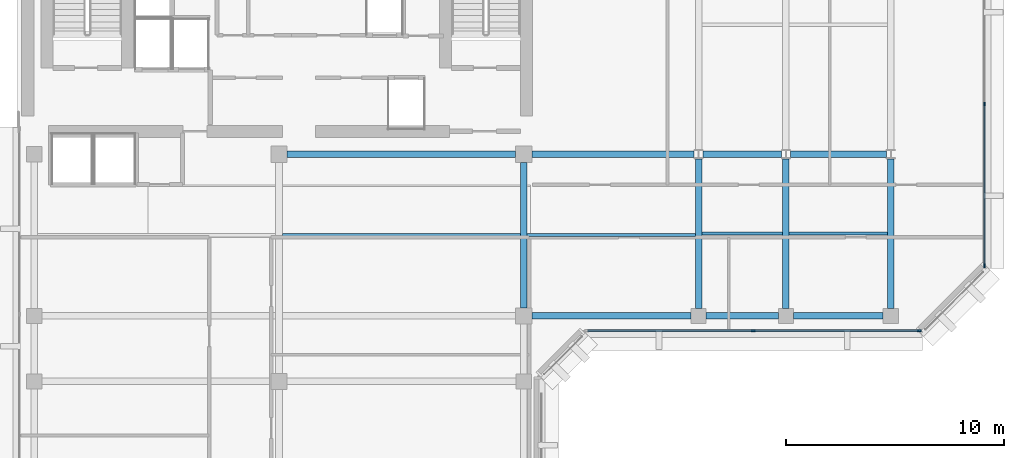
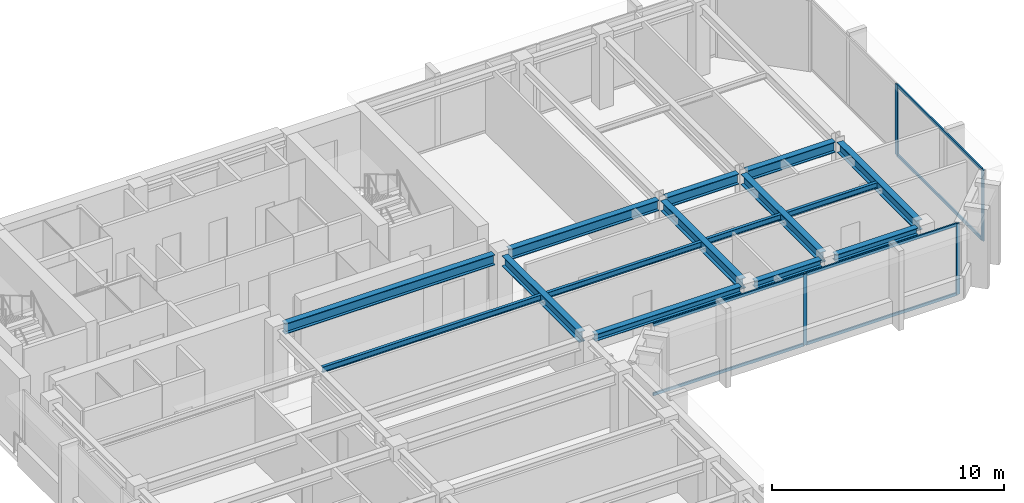
# One storey, part 3 of 11: 15 beams, 10 members, 2 elements without a shape of their own.
"""IFC4 building model written with IfcOpenShell, lengths in metres."""

from ifc_helpers import new_model, si_unit, direction, frame, origin, origin_2d, place, context, subcontext, project, spatial, rectangle, i_section, extrude, material, layer, layer_set, material_profile, profile_set, type_object, element, aggregate, save


model = new_model("IFC4")

# Units and contexts
model_context = context("Model", 3, precision=1e-05, world=origin(), true_north=direction((0.0, 1.0)))
body_context = subcontext(model_context, "Body", "Model", "MODEL_VIEW")
ifc_project = project(units=[si_unit("LENGTHUNIT", "METRE"), si_unit("AREAUNIT", "SQUARE_METRE"), si_unit("VOLUMEUNIT", "CUBIC_METRE"), si_unit("PLANEANGLEUNIT", "RADIAN"), si_unit("MASSUNIT", "GRAM", prefix="KILO")], contexts=[model_context])

# Site, building, storey
site_placement = place(None, origin())
site = spatial("IfcSite", under=ifc_project, at=site_placement, CompositionType="ELEMENT")
building_placement = place(site_placement, origin())
building = spatial("IfcBuilding", under=site, at=building_placement, Name="Kefirva Bronze Tower", CompositionType="ELEMENT")
storey_placement = place(building_placement, frame((0.0, 0.0, 303.929931640625)))
storey = spatial("IfcBuildingStorey", under=building, at=storey_placement, Name="L74", CompositionType="ELEMENT", Elevation=303.929931640625)

# Curtain wall, members
ifc_material_1 = material(Name="Bronze anodised aluminium", Category="aluminium")
ifc_layer = layer(ifc_material_1, 0.179931640625, Name="Bronze anodised aluminium")
ifc_layer_set = layer_set([ifc_layer], Name="Bronze anodised aluminium")
curtain_wall_type = type_object("IfcCurtainWallType", Name="Unitised Bronze Ribbon Curtain Wall Zone 4", PredefinedType="USERDEFINED", material=ifc_layer_set)
curtain_wall_1_placement = place(storey_placement, origin())
curtain_wall_1 = element("IfcCurtainWall", 1, at=curtain_wall_1_placement, inside=storey, type_object=curtain_wall_type, Name="L74 Curtain Wall 2", ObjectType="UNITISED CURTAIN WALL", PredefinedType="USERDEFINED")
ifc_material_profile_1 = material_profile(ifc_material_1, rectangle(XDim=0.074951171875, YDim=0.179931640625, at=origin_2d()), Name="ALU 75x180")
ifc_profile_set_1 = profile_set([ifc_material_profile_1], Name="Bronze anodised aluminium")
member_type_1 = type_object("IfcMemberType", Name="Bronze Mullion 75x180", PredefinedType="MULLION", material=ifc_profile_set_1)
member_1_placement = place(storey_placement, frame((33.699951171875, 25.1201171875, 0.0), z_axis=(0.0, 0.0, 1.0), x_axis=(0.0, 1.0, 0.0)))
member_1 = element("IfcMember", 2, at=member_1_placement, type_object=member_type_1, Name="CW-04 mullion 2", PredefinedType="MULLION", context=body_context, shape_type="SweptSolid", body=[
    extrude(rectangle(XDim=0.074951171875, YDim=0.179931640625, at=origin_2d()), origin(), (0.0, 0.0, 1.0), 3.739990234375),
])
member_2_placement = place(storey_placement, frame((41.3076171875, 25.1201171875, 0.0), z_axis=(0.0, 0.0, 1.0), x_axis=(0.0, 1.0, 0.0)))
member_2 = element("IfcMember", 3, at=member_2_placement, type_object=member_type_1, Name="CW-04 mullion 3", PredefinedType="MULLION", context=body_context, shape_type="SweptSolid", body=[
    extrude(rectangle(XDim=0.074951171875, YDim=0.179931640625, at=origin_2d()), origin(), (0.0, 0.0, 1.0), 3.739990234375),
])

curtain_wall_2_placement = place(storey_placement, origin())
curtain_wall_2 = element("IfcCurtainWall", 4, at=curtain_wall_2_placement, inside=storey, type_object=curtain_wall_type, Name="L74 Curtain Wall 3", ObjectType="UNITISED CURTAIN WALL", PredefinedType="USERDEFINED")
member_3_placement = place(storey_placement, frame((44.280029296875, 28.092529296875, 0.0), z_axis=(0.0, 0.0, 1.0), x_axis=(-1.0, 0.0, 0.0)))
member_3 = element("IfcMember", 5, at=member_3_placement, type_object=member_type_1, Name="CW-04 mullion 1", PredefinedType="MULLION", context=body_context, shape_type="SweptSolid", body=[
    extrude(rectangle(XDim=0.074951171875, YDim=0.179931640625, at=origin_2d()), origin(), (0.0, 0.0, 1.0), 3.739990234375),
])
member_4_placement = place(storey_placement, frame((44.280029296875, 35.5, 0.0), z_axis=(0.0, 0.0, 1.0), x_axis=(-1.0, 0.0, 0.0)))
member_4 = element("IfcMember", 6, at=member_4_placement, type_object=member_type_1, Name="CW-04 mullion 2", PredefinedType="MULLION", context=body_context, shape_type="SweptSolid", body=[
    extrude(rectangle(XDim=0.074951171875, YDim=0.179931640625, at=origin_2d()), origin(), (0.0, 0.0, 1.0), 3.739990234375),
])

# Member
ifc_material_profile_2 = material_profile(ifc_material_1, rectangle(XDim=0.074951171875, YDim=0.14990234375, at=origin_2d()), Name="ALU 75x150")
ifc_profile_set_2 = profile_set([ifc_material_profile_2], Name="Bronze anodised aluminium")
member_type_2 = type_object("IfcMemberType", Name="Bronze Transom 75x150", PredefinedType="USERDEFINED", material=ifc_profile_set_2)
member_5_placement = place(storey_placement, frame((26.1298828125, 25.1201171875, 0.03759765625), z_axis=(1.0, 0.0, 0.0), x_axis=(0.0, 1.0, 0.0)))
member_5 = element("IfcMember", 7, at=member_5_placement, type_object=member_type_2, Name="CW-04 transom 1.1", ObjectType="TRANSOM", PredefinedType="USERDEFINED", context=body_context, shape_type="SweptSolid", body=[
    extrude(rectangle(XDim=0.074951171875, YDim=0.14990234375, at=origin_2d()), origin(), (0.0, 0.0, 1.0), 7.53271484375),
])

member_6_placement = place(storey_placement, frame((26.1298828125, 25.1201171875, 3.70263671875), z_axis=(1.0, 0.0, 0.0), x_axis=(0.0, 1.0, 0.0)))
member_6 = element("IfcMember", 8, at=member_6_placement, type_object=member_type_2, Name="CW-04 transom 1.2", ObjectType="TRANSOM", PredefinedType="USERDEFINED", context=body_context, shape_type="SweptSolid", body=[
    extrude(rectangle(XDim=0.074951171875, YDim=0.14990234375, at=origin_2d()), origin(), (0.0, 0.0, 1.0), 7.53271484375),
])

member_7_placement = place(storey_placement, frame((33.737548828125, 25.1201171875, 0.03759765625), z_axis=(1.0, 0.0, 0.0), x_axis=(0.0, 1.0, 0.0)))
member_7 = element("IfcMember", 9, at=member_7_placement, type_object=member_type_2, Name="CW-04 transom 2.1", ObjectType="TRANSOM", PredefinedType="USERDEFINED", context=body_context, shape_type="SweptSolid", body=[
    extrude(rectangle(XDim=0.074951171875, YDim=0.14990234375, at=origin_2d()), origin(), (0.0, 0.0, 1.0), 7.532470703125),
])

member_8_placement = place(storey_placement, frame((33.737548828125, 25.1201171875, 3.70263671875), z_axis=(1.0, 0.0, 0.0), x_axis=(0.0, 1.0, 0.0)))
member_8 = element("IfcMember", 10, at=member_8_placement, type_object=member_type_2, Name="CW-04 transom 2.2", ObjectType="TRANSOM", PredefinedType="USERDEFINED", context=body_context, shape_type="SweptSolid", body=[
    extrude(rectangle(XDim=0.074951171875, YDim=0.14990234375, at=origin_2d()), origin(), (0.0, 0.0, 1.0), 7.532470703125),
])

aggregate(curtain_wall_1, [member_1, member_2, member_5, member_6, member_7, member_8])

member_9_placement = place(storey_placement, frame((44.280029296875, 28.1298828125, 0.03759765625), z_axis=(0.0, 1.0, 0.0), x_axis=(-1.0, 0.0, 0.0)))
member_9 = element("IfcMember", 11, at=member_9_placement, type_object=member_type_2, Name="CW-04 transom 1.1", ObjectType="TRANSOM", PredefinedType="USERDEFINED", context=body_context, shape_type="SweptSolid", body=[
    extrude(rectangle(XDim=0.074951171875, YDim=0.14990234375, at=origin_2d()), origin(), (0.0, 0.0, 1.0), 7.33251953125),
])

member_10_placement = place(storey_placement, frame((44.280029296875, 28.1298828125, 3.70263671875), z_axis=(0.0, 1.0, 0.0), x_axis=(-1.0, 0.0, 0.0)))
member_10 = element("IfcMember", 12, at=member_10_placement, type_object=member_type_2, Name="CW-04 transom 1.2", ObjectType="TRANSOM", PredefinedType="USERDEFINED", context=body_context, shape_type="SweptSolid", body=[
    extrude(rectangle(XDim=0.074951171875, YDim=0.14990234375, at=origin_2d()), origin(), (0.0, 0.0, 1.0), 7.33251953125),
])

aggregate(curtain_wall_2, [member_3, member_4, member_9, member_10])

# Beams
ifc_material_2 = material(Name="Steel S355", Category="steel")
ifc_material_profile_3 = material_profile(ifc_material_2, i_section(OverallWidth=0.14990234375, OverallDepth=0.300048828125, WebThickness=0.007080078125, FlangeThickness=0.0107421875, at=origin_2d()), Name="IPE 300")
ifc_profile_set_3 = profile_set([ifc_material_profile_3], Name="Steel S355")
beam_type_1 = type_object("IfcBeamType", Name="Steel Floor Joist IPE 300", PredefinedType="JOIST", material=ifc_profile_set_3)
beam_1_placement = place(storey_placement, frame((12.14990234375, 29.5, 3.590087890625), z_axis=(1.0, 0.0, 0.0), x_axis=(0.0, 1.0, 0.0)))
element("IfcBeam", 13, at=beam_1_placement, inside=storey, type_object=beam_type_1, Name="L74 JST-L74-12-295", PredefinedType="JOIST", context=body_context, shape_type="SweptSolid", body=[
    extrude(i_section(OverallWidth=0.14990234375, OverallDepth=0.300048828125, WebThickness=0.007080078125, FlangeThickness=0.0107421875, at=origin_2d()), origin(), (0.0, 0.0, 1.0), 10.900146484375),
])
beam_2_placement = place(storey_placement, frame((23.35009765625, 29.5, 3.590087890625), z_axis=(1.0, 0.0, 0.0), x_axis=(0.0, 1.0, 0.0)))
element("IfcBeam", 14, at=beam_2_placement, inside=storey, type_object=beam_type_1, Name="L74 JST-L74-23-295", PredefinedType="JOIST", context=body_context, shape_type="SweptSolid", body=[
    extrude(i_section(OverallWidth=0.14990234375, OverallDepth=0.300048828125, WebThickness=0.007080078125, FlangeThickness=0.0107421875, at=origin_2d()), origin(), (0.0, 0.0, 1.0), 7.699951171875),
])
beam_3_placement = place(storey_placement, frame((31.35009765625, 29.571044921875, 3.590087890625), z_axis=(1.0, 0.0, 0.0), x_axis=(0.0, 1.0, 0.0)))
element("IfcBeam", 15, at=beam_3_placement, inside=storey, type_object=beam_type_1, Name="L74 JST-L74-31-295", PredefinedType="JOIST", context=body_context, shape_type="SweptSolid", body=[
    extrude(i_section(OverallWidth=0.14990234375, OverallDepth=0.300048828125, WebThickness=0.007080078125, FlangeThickness=0.0107421875, at=origin_2d()), origin(), (0.0, 0.0, 1.0), 3.699951171875),
])
beam_4_placement = place(storey_placement, frame((35.35009765625, 29.571044921875, 3.590087890625), z_axis=(1.0, 0.0, 0.0), x_axis=(0.0, 1.0, 0.0)))
element("IfcBeam", 16, at=beam_4_placement, inside=storey, type_object=beam_type_1, Name="L74 JST-L74-35-295", PredefinedType="JOIST", context=body_context, shape_type="SweptSolid", body=[
    extrude(i_section(OverallWidth=0.14990234375, OverallDepth=0.300048828125, WebThickness=0.007080078125, FlangeThickness=0.0107421875, at=origin_2d()), origin(), (0.0, 0.0, 1.0), 4.5),
])
ifc_material_profile_4 = material_profile(ifc_material_2, i_section(OverallWidth=0.300048828125, OverallDepth=0.550048828125, WebThickness=0.014892578125, FlangeThickness=0.029052734375, at=origin_2d()), Name="HEB 550")
ifc_profile_set_4 = profile_set([ifc_material_profile_4], Name="Steel S355")
beam_type_2 = type_object("IfcBeamType", Name="Steel Girder HEB 550", PredefinedType="USERDEFINED", material=ifc_profile_set_4)
beam_5_placement = place(storey_placement, frame((12.3701171875, 33.199951171875, 3.465087890625), z_axis=(1.0, 0.0, 0.0), x_axis=(0.0, 1.0, 0.0)))
element("IfcBeam", 17, at=beam_5_placement, inside=storey, type_object=beam_type_2, Name="L74 BM-L74-EW-12-332", ObjectType="GIRDER", PredefinedType="USERDEFINED", context=body_context, shape_type="SweptSolid", body=[
    extrude(i_section(OverallWidth=0.300048828125, OverallDepth=0.550048828125, WebThickness=0.014892578125, FlangeThickness=0.029052734375, at=origin_2d()), origin(), (0.0, 0.0, 1.0), 10.4599609375),
])
beam_6_placement = place(storey_placement, frame((23.570068359375, 33.199951171875, 3.465087890625), z_axis=(1.0, 0.0, 0.0), x_axis=(0.0, 1.0, 0.0)))
element("IfcBeam", 18, at=beam_6_placement, inside=storey, type_object=beam_type_2, Name="L74 BM-L74-EW-23-332", ObjectType="GIRDER", PredefinedType="USERDEFINED", context=body_context, shape_type="SweptSolid", body=[
    extrude(i_section(OverallWidth=0.300048828125, OverallDepth=0.550048828125, WebThickness=0.014892578125, FlangeThickness=0.029052734375, at=origin_2d()), origin(), (0.0, 0.0, 1.0), 7.427001953125),
])
beam_7_placement = place(storey_placement, frame((31.403076171875, 33.199951171875, 3.465087890625), z_axis=(1.0, 0.0, 0.0), x_axis=(0.0, 1.0, 0.0)))
element("IfcBeam", 19, at=beam_7_placement, inside=storey, type_object=beam_type_2, Name="L74 BM-L74-EW-31-332", ObjectType="GIRDER", PredefinedType="USERDEFINED", context=body_context, shape_type="SweptSolid", body=[
    extrude(i_section(OverallWidth=0.300048828125, OverallDepth=0.550048828125, WebThickness=0.014892578125, FlangeThickness=0.029052734375, at=origin_2d()), origin(), (0.0, 0.0, 1.0), 3.593994140625),
])
beam_8_placement = place(storey_placement, frame((35.403076171875, 33.199951171875, 3.465087890625), z_axis=(1.0, 0.0, 0.0), x_axis=(0.0, 1.0, 0.0)))
element("IfcBeam", 20, at=beam_8_placement, inside=storey, type_object=beam_type_2, Name="L74 BM-L74-EW-35-332", ObjectType="GIRDER", PredefinedType="USERDEFINED", context=body_context, shape_type="SweptSolid", body=[
    extrude(i_section(OverallWidth=0.300048828125, OverallDepth=0.550048828125, WebThickness=0.014892578125, FlangeThickness=0.029052734375, at=origin_2d()), origin(), (0.0, 0.0, 1.0), 4.39404296875),
])
beam_9_placement = place(storey_placement, frame((23.199951171875, 26.169921875, 3.465087890625), z_axis=(0.0, 1.0, 0.0), x_axis=(-1.0, 0.0, 0.0)))
element("IfcBeam", 21, at=beam_9_placement, inside=storey, type_object=beam_type_2, Name="L74 BM-L74-NS-232-25", ObjectType="GIRDER", PredefinedType="USERDEFINED", context=body_context, shape_type="SweptSolid", body=[
    extrude(i_section(OverallWidth=0.300048828125, OverallDepth=0.550048828125, WebThickness=0.014892578125, FlangeThickness=0.029052734375, at=origin_2d()), origin(), (0.0, 0.0, 1.0), 6.66015625),
])
for number, where, z_axis, x_axis, name in (
    (22, (31.199951171875, 26.14990234375, 3.465087890625), (0.0, 1.0, 0.0), (-1.0, 0.0, 0.0), "L74 BM-L74-NS-312-25"),
    (23, (35.199951171875, 26.14990234375, 3.465087890625), (0.0, 1.0, 0.0), (-1.0, 0.0, 0.0), "L74 BM-L74-NS-352-25"),
    (24, (40.0, 26.14990234375, 3.465087890625), (0.0, 1.0, 0.0), (-1.0, 0.0, 0.0), "L74 BM-L74-NS-400-25"),
):
    element("IfcBeam", number, at=place(storey_placement, frame(where, z_axis=z_axis, x_axis=x_axis)), inside=storey, type_object=beam_type_2, Name=name, ObjectType="GIRDER", PredefinedType="USERDEFINED", context=body_context, shape_type="SweptSolid", body=[
        extrude(i_section(OverallWidth=0.300048828125, OverallDepth=0.550048828125, WebThickness=0.014892578125, FlangeThickness=0.029052734375, at=origin_2d()), origin(), (0.0, 0.0, 1.0), 6.842041015625),
    ])
ifc_material_profile_5 = material_profile(ifc_material_2, i_section(OverallWidth=0.300048828125, OverallDepth=0.360107421875, WebThickness=0.012451171875, FlangeThickness=0.0224609375, at=origin_2d()), Name="HEB 360")
ifc_profile_set_5 = profile_set([ifc_material_profile_5], Name="Steel S355")
beam_type_3 = type_object("IfcBeamType", Name="Steel Spandrel HEB 360 Ext", PredefinedType="SPANDREL", material=ifc_profile_set_5)
beam_10_placement = place(storey_placement, frame((23.570068359375, 25.800048828125, 3.56005859375), z_axis=(1.0, 0.0, 0.0), x_axis=(0.0, 1.0, 0.0)))
element("IfcBeam", 25, at=beam_10_placement, inside=storey, type_object=beam_type_3, Name="L74 BM-L74-EW-23-258", PredefinedType="SPANDREL", context=body_context, shape_type="SweptSolid", body=[
    extrude(i_section(OverallWidth=0.300048828125, OverallDepth=0.360107421875, WebThickness=0.012451171875, FlangeThickness=0.0224609375, at=origin_2d()), origin(), (0.0, 0.0, 1.0), 7.280029296875),
])
beam_11_placement = place(storey_placement, frame((31.550048828125, 25.800048828125, 3.56005859375), z_axis=(1.0, 0.0, 0.0), x_axis=(0.0, 1.0, 0.0)))
element("IfcBeam", 26, at=beam_11_placement, inside=storey, type_object=beam_type_3, Name="L74 BM-L74-EW-31-258", PredefinedType="SPANDREL", context=body_context, shape_type="SweptSolid", body=[
    extrude(i_section(OverallWidth=0.300048828125, OverallDepth=0.360107421875, WebThickness=0.012451171875, FlangeThickness=0.0224609375, at=origin_2d()), origin(), (0.0, 0.0, 1.0), 3.300048828125),
])
beam_12_placement = place(storey_placement, frame((35.550048828125, 25.800048828125, 3.56005859375), z_axis=(1.0, 0.0, 0.0), x_axis=(0.0, 1.0, 0.0)))
element("IfcBeam", 27, at=beam_12_placement, inside=storey, type_object=beam_type_3, Name="L74 BM-L74-EW-35-258", PredefinedType="SPANDREL", context=body_context, shape_type="SweptSolid", body=[
    extrude(i_section(OverallWidth=0.300048828125, OverallDepth=0.360107421875, WebThickness=0.012451171875, FlangeThickness=0.0224609375, at=origin_2d()), origin(), (0.0, 0.0, 1.0), 4.099853515625),
])

save(model, "model.ifc")
